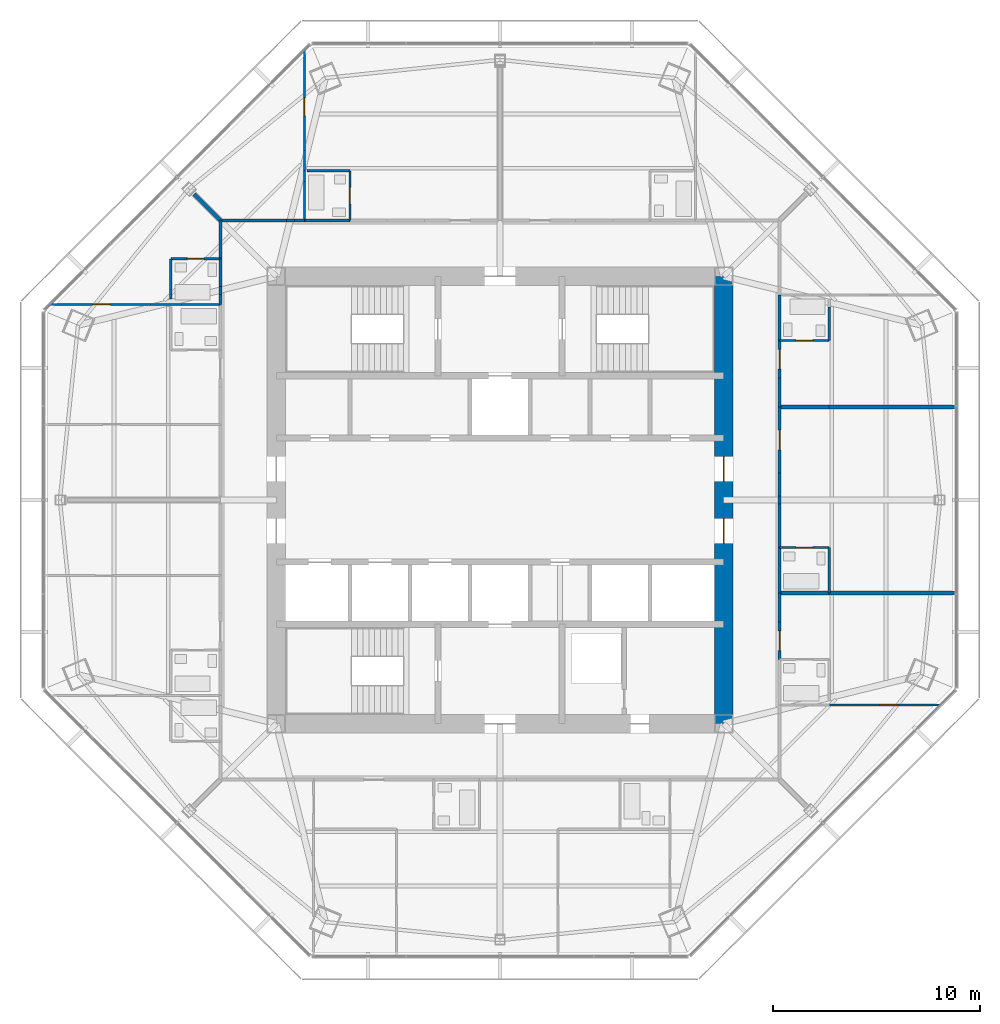
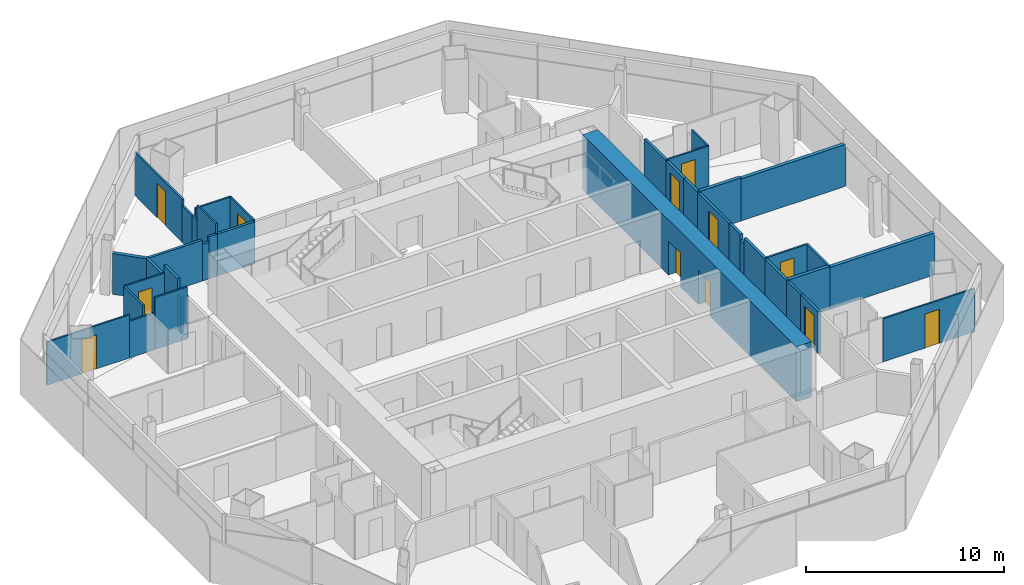
# One storey, part 11 of 15: 40 walls, 12 doors, 12 openings.
"""IFC4 building model written with IfcOpenShell, lengths in metres."""

from ifc_helpers import new_model, si_unit, direction, frame, frame_2d, origin, place, context, subcontext, project, spatial, rectangle, extrude, material, layer, layer_set, type_object, element, fill, save


model = new_model("IFC4")

# Units and contexts
model_context = context("Model", 3, precision=1e-05, world=origin(), true_north=direction((0.0, 1.0)))
body_context = subcontext(model_context, "Body", "Model", "MODEL_VIEW")
ifc_project = project(units=[si_unit("LENGTHUNIT", "METRE"), si_unit("AREAUNIT", "SQUARE_METRE"), si_unit("VOLUMEUNIT", "CUBIC_METRE"), si_unit("PLANEANGLEUNIT", "RADIAN"), si_unit("MASSUNIT", "GRAM", prefix="KILO")], contexts=[model_context])

# Site, building, storey
site_placement = place(None, origin())
site = spatial("IfcSite", under=ifc_project, at=site_placement, CompositionType="ELEMENT")
building_placement = place(site_placement, origin())
building = spatial("IfcBuilding", under=site, at=building_placement, Name="Mashrafa Tower", CompositionType="ELEMENT")
storey_placement = place(building_placement, frame((0.0, 0.0, 210.800048828125)))
storey = spatial("IfcBuildingStorey", under=building, at=storey_placement, Name="L48", CompositionType="ELEMENT", Elevation=210.800048828125)

# Walls
ifc_material_1 = material(Name="Gypsum board on steel studs", Category="steel")
ifc_layer_1 = layer(ifc_material_1, 0.199951171875)
ifc_layer_set_1 = layer_set([ifc_layer_1], Name="Acoustic partition 200 1 hr")
wall_type_1 = type_object("IfcWallType", Name="Acoustic partition 200 1 hr", PredefinedType="PARTITIONING", material=ifc_layer_set_1)
wall_1_placement = place(storey_placement, frame((15.89990234375, -4.5, 0.0), z_axis=(0.0, 0.0, 1.0), x_axis=(-1.0, 0.0, 0.0)))
element("IfcWall", 1, at=wall_1_placement, inside=storey, type_object=wall_type_1, Name="Acoustic wall L48-067", PredefinedType="PARTITIONING", context=body_context, shape_type="SweptSolid", body=[
    extrude(rectangle(XDim=2.39990234375, YDim=0.199951171875, at=frame_2d((1.199951171875, 0.0))), origin(), (0.0, 0.0, 1.0), 2.6640625),
])
wall_2_placement = place(storey_placement, frame((22.033447265625, -4.5, 0.0), z_axis=(0.0, 0.0, 1.0), x_axis=(-1.0, 0.0, 0.0)))
element("IfcWall", 2, at=wall_2_placement, inside=storey, type_object=wall_type_1, Name="Acoustic wall L48-068", PredefinedType="PARTITIONING", context=body_context, shape_type="SweptSolid", body=[
    extrude(rectangle(XDim=6.133544921875, YDim=0.199951171875, at=frame_2d((3.06689453125, 0.0))), origin(), (0.0, 0.0, 1.0), 2.590576171875),
])
wall_3_placement = place(storey_placement, frame((15.90087890625, 4.5, 0.0), z_axis=(0.0, 0.0, 1.0), x_axis=(-1.0, 0.0, 0.0)))
element("IfcWall", 3, at=wall_3_placement, inside=storey, type_object=wall_type_1, Name="Acoustic wall L48-071", PredefinedType="PARTITIONING", context=body_context, shape_type="SweptSolid", body=[
    extrude(rectangle(XDim=2.40087890625, YDim=0.199951171875, at=frame_2d((1.200439453125, 0.0))), origin(), (0.0, 0.0, 1.0), 2.6640625),
])
wall_4_placement = place(storey_placement, frame((22.033447265625, 4.5, 0.0), z_axis=(0.0, 0.0, 1.0), x_axis=(-1.0, 0.0, 0.0)))
element("IfcWall", 4, at=wall_4_placement, inside=storey, type_object=wall_type_1, Name="Acoustic wall L48-072", PredefinedType="PARTITIONING", context=body_context, shape_type="SweptSolid", body=[
    extrude(rectangle(XDim=6.134521484375, YDim=0.199951171875, at=frame_2d((3.0673828125, 0.0))), origin(), (0.0, 0.0, 1.0), 2.590576171875),
])
wall_5_placement = place(storey_placement, frame((-14.768798828125, 14.768798828125, 0.0), z_axis=(0.0, 0.0, 1.0), x_axis=(0.707106781187, -0.707106781187, 0.0)))
element("IfcWall", 5, at=wall_5_placement, inside=storey, type_object=wall_type_1, Name="Acoustic wall L48-091", PredefinedType="PARTITIONING", context=body_context, shape_type="SweptSolid", body=[
    extrude(rectangle(XDim=1.79443359375, YDim=0.199951171875, at=frame_2d((0.897216796875, 0.0))), origin(), (0.0, 0.0, 1.0), 2.51171875),
])

# Wall, openings, doors
ifc_material_2 = material(Name="Concrete C50/60", Category="concrete")
ifc_layer_2 = layer(ifc_material_2, 0.89990234375)
ifc_layer_set_2 = layer_set([ifc_layer_2], Name="Core wall 900 C50/60")
wall_type_2 = type_object("IfcWallType", Name="Core wall 900 C50/60", PredefinedType="SOLIDWALL", material=ifc_layer_set_2)
wall_6_placement = place(storey_placement, frame((10.800048828125, -10.800048828125, 0.0), z_axis=(0.0, 0.0, 1.0), x_axis=(0.0, 1.0, 0.0)))
wall_6 = element("IfcWall", 6, at=wall_6_placement, inside=storey, type_object=wall_type_2, Name="Core wall CW-E L48", PredefinedType="SOLIDWALL", context=body_context, shape_type="SweptSolid", body=[
    extrude(rectangle(XDim=21.60009765625, YDim=0.89990234375, at=frame_2d((10.800048828125, 0.0))), origin(), (0.0, 0.0, 1.0), 3.39990234375),
])
opening_1_placement = place(wall_6_placement, frame((11.699951171875, 0.0, 0.0)))
opening_1 = element("IfcOpeningElement", 7, at=opening_1_placement, cuts=wall_6, Name="Opening 48.032", PredefinedType="OPENING", context=body_context, shape_type="SweptSolid", body=[
    extrude(rectangle(XDim=1.199951171875, YDim=2.10009765625, at=frame_2d((0.60009765625, 1.050048828125))), frame((0.0, 0.4599609375, 0.0), z_axis=(0.0, -1.0, 0.0), x_axis=(1.0, 0.0, 0.0)), (0.0, 0.0, 1.0), 0.919921875),
])
opening_2_placement = place(wall_6_placement, frame((8.699951171875, 0.0, 0.0)))
opening_2 = element("IfcOpeningElement", 8, at=opening_2_placement, cuts=wall_6, Name="Opening 48.034", PredefinedType="OPENING", context=body_context, shape_type="SweptSolid", body=[
    extrude(rectangle(XDim=1.199951171875, YDim=2.10009765625, at=frame_2d((0.60009765625, 1.050048828125))), frame((0.0, 0.4599609375, 0.0), z_axis=(0.0, -1.0, 0.0), x_axis=(1.0, 0.0, 0.0)), (0.0, 0.0, 1.0), 0.919921875),
])
ifc_material_3 = material(Name="Steel door", Category="steel")
door_type_1 = type_object("IfcDoorType", Name="Lift hall door 1200 x 2100 90 min", OperationType="USERDEFINED", PredefinedType="DOOR", material=ifc_material_3)
door_1_placement = place(opening_1_placement, frame((1.199951171875, 0.0, 0.0), z_axis=(0.0, 0.0, 1.0), x_axis=(-1.0, 0.0, 0.0)))
door_1 = element("IfcDoor", 9, at=door_1_placement, inside=storey, type_object=door_type_1, Name="Lift hall door east L48", OperationType="SINGLE_SWING_LEFT", OverallHeight=2.10009765625, OverallWidth=1.199951171875, PredefinedType="DOOR", context=body_context, shape_type="SweptSolid", body=[
    extrude(rectangle(XDim=1.199951171875, YDim=2.10009765625, at=frame_2d((0.60009765625, 1.050048828125))), frame((0.0, 0.02490234375, 0.0), z_axis=(0.0, -1.0, 0.0), x_axis=(1.0, 0.0, 0.0)), (0.0, 0.0, 1.0), 0.050048828125),
])
fill(opening_1, door_1)
door_2_placement = place(opening_2_placement, frame((1.199951171875, 0.0, 0.0), z_axis=(0.0, 0.0, 1.0), x_axis=(-1.0, 0.0, 0.0)))
door_2 = element("IfcDoor", 10, at=door_2_placement, inside=storey, type_object=door_type_1, Name="Lift hall door east L48", OperationType="SINGLE_SWING_RIGHT", OverallHeight=2.10009765625, OverallWidth=1.199951171875, PredefinedType="DOOR", context=body_context, shape_type="SweptSolid", body=[
    extrude(rectangle(XDim=1.199951171875, YDim=2.10009765625, at=frame_2d((0.60009765625, 1.050048828125))), frame((0.0, 0.02490234375, 0.0), z_axis=(0.0, -1.0, 0.0), x_axis=(1.0, 0.0, 0.0)), (0.0, 0.0, 1.0), 0.050048828125),
])
fill(opening_2, door_2)

# Wall
ifc_material_4 = material(Name="Gypsum board on steel studs", Category="steel")
ifc_layer_3 = layer(ifc_material_4, 0.14990234375)
ifc_layer_set_3 = layer_set([ifc_layer_3], Name="Corridor partition 150 1 hr")
wall_type_3 = type_object("IfcWallType", Name="Corridor partition 150 1 hr", PredefinedType="PARTITIONING", material=ifc_layer_set_3)
wall_7_placement = place(storey_placement, frame((13.5, -5.90087890625, 0.0), z_axis=(0.0, 0.0, 1.0), x_axis=(0.0, 1.0, 0.0)))
element("IfcWall", 11, at=wall_7_placement, inside=storey, type_object=wall_type_3, Name="Corridor wall L48-004", PredefinedType="PARTITIONING", context=body_context, shape_type="SweptSolid", body=[
    extrude(rectangle(XDim=1.40185546875, YDim=0.14990234375, at=frame_2d((0.700927734375, 0.0))), origin(), (0.0, 0.0, 1.0), 2.590576171875),
])

# Wall, opening, door
wall_8_placement = place(storey_placement, frame((13.5, -7.700927734375, 0.0), z_axis=(0.0, 0.0, 1.0), x_axis=(0.0, 1.0, 0.0)))
wall_8 = element("IfcWall", 12, at=wall_8_placement, inside=storey, type_object=wall_type_3, Name="Corridor wall L48-005", PredefinedType="PARTITIONING", context=body_context, shape_type="SweptSolid", body=[
    extrude(rectangle(XDim=1.802001953125, YDim=0.14990234375, at=frame_2d((0.90087890625, 0.0))), origin(), (0.0, 0.0, 1.0), 2.590576171875),
])
opening_3_placement = place(wall_8_placement, frame((0.426025390625, 0.0, 0.0)))
opening_3 = element("IfcOpeningElement", 13, at=opening_3_placement, cuts=wall_8, Name="Opening 48.003", PredefinedType="OPENING", context=body_context, shape_type="SweptSolid", body=[
    extrude(rectangle(XDim=0.949951171875, YDim=2.10009765625, at=frame_2d((0.47509765625, 1.050048828125))), frame((0.0, 0.0849609375, 0.0), z_axis=(0.0, -1.0, 0.0), x_axis=(1.0, 0.0, 0.0)), (0.0, 0.0, 1.0), 0.169921875),
])
ifc_material_5 = material(Name="Steel door", Category="steel")
door_type_2 = type_object("IfcDoorType", Name="Residence entrance door 950 x 2100 20 min", OperationType="USERDEFINED", PredefinedType="DOOR", material=ifc_material_5)
door_3_placement = place(opening_3_placement, frame((0.949951171875, 0.0, 0.0), z_axis=(0.0, 0.0, 1.0), x_axis=(-1.0, 0.0, 0.0)))
door_3 = element("IfcDoor", 14, at=door_3_placement, inside=storey, type_object=door_type_2, Name="Apartment 4801 Living Room door", OperationType="SINGLE_SWING_LEFT", OverallHeight=2.10009765625, OverallWidth=0.949951171875, PredefinedType="DOOR", context=body_context, shape_type="SweptSolid", body=[
    extrude(rectangle(XDim=0.949951171875, YDim=2.10009765625, at=frame_2d((0.47509765625, 1.050048828125))), frame((0.0, 0.02490234375, 0.0), z_axis=(0.0, -1.0, 0.0), x_axis=(1.0, 0.0, 0.0)), (0.0, 0.0, 1.0), 0.050048828125),
])
fill(opening_3, door_3)

# Walls
wall_9_placement = place(storey_placement, frame((13.5, -4.5009765625, 0.0), z_axis=(0.0, 0.0, 1.0), x_axis=(0.0, 1.0, 0.0)))
element("IfcWall", 15, at=wall_9_placement, inside=storey, type_object=wall_type_3, Name="Corridor wall L48-006", PredefinedType="PARTITIONING", context=body_context, shape_type="SweptSolid", body=[
    extrude(rectangle(XDim=2.201904296875, YDim=0.14990234375, at=frame_2d((1.10107421875, 0.0))), origin(), (0.0, 0.0, 1.0), 2.590576171875),
])
wall_10_placement = place(storey_placement, frame((13.5, -0.18359375, 0.0), z_axis=(0.0, 0.0, 1.0), x_axis=(0.0, -1.0, 0.0)))
element("IfcWall", 16, at=wall_10_placement, inside=storey, type_object=wall_type_3, Name="Corridor wall L48-007", PredefinedType="PARTITIONING", context=body_context, shape_type="SweptSolid", body=[
    extrude(rectangle(XDim=2.117431640625, YDim=0.14990234375, at=frame_2d((1.05859375, 0.0))), origin(), (0.0, 0.0, 1.0), 2.590576171875),
])
wall_11_placement = place(storey_placement, frame((13.5, 0.18359375, 0.0), z_axis=(0.0, 0.0, 1.0), x_axis=(0.0, 1.0, 0.0)))
element("IfcWall", 17, at=wall_11_placement, inside=storey, type_object=wall_type_3, Name="Corridor wall L48-008", PredefinedType="PARTITIONING", context=body_context, shape_type="SweptSolid", body=[
    extrude(rectangle(XDim=1.117431640625, YDim=0.14990234375, at=frame_2d((0.55859375, 0.0))), origin(), (0.0, 0.0, 1.0), 2.590576171875),
])
wall_12_placement = place(storey_placement, frame((13.5, -0.18359375, 0.0), z_axis=(0.0, 0.0, 1.0), x_axis=(0.0, 1.0, 0.0)))
element("IfcWall", 18, at=wall_12_placement, inside=storey, type_object=wall_type_3, Name="Corridor wall L48-009", PredefinedType="PARTITIONING", context=body_context, shape_type="SweptSolid", body=[
    extrude(rectangle(XDim=0.3671875, YDim=0.14990234375, at=frame_2d((0.18359375, 0.0))), origin(), (0.0, 0.0, 1.0), 2.2529296875),
])

# Wall, opening, door
wall_13_placement = place(storey_placement, frame((13.5, 1.299072265625, 0.0), z_axis=(0.0, 0.0, 1.0), x_axis=(0.0, 1.0, 0.0)))
wall_13 = element("IfcWall", 19, at=wall_13_placement, inside=storey, type_object=wall_type_3, Name="Corridor wall L48-011", PredefinedType="PARTITIONING", context=body_context, shape_type="SweptSolid", body=[
    extrude(rectangle(XDim=3.201904296875, YDim=0.14990234375, at=frame_2d((1.60107421875, 0.0))), origin(), (0.0, 0.0, 1.0), 2.590576171875),
])
opening_4_placement = place(wall_13_placement, frame((1.1259765625, 0.0, 0.0)))
opening_4 = element("IfcOpeningElement", 20, at=opening_4_placement, cuts=wall_13, Name="Opening 48.005", PredefinedType="OPENING", context=body_context, shape_type="SweptSolid", body=[
    extrude(rectangle(XDim=0.949951171875, YDim=2.10009765625, at=frame_2d((0.47509765625, 1.050048828125))), frame((0.0, 0.0849609375, 0.0), z_axis=(0.0, -1.0, 0.0), x_axis=(1.0, 0.0, 0.0)), (0.0, 0.0, 1.0), 0.169921875),
])
door_4_placement = place(opening_4_placement, frame((0.949951171875, 0.0, 0.0), z_axis=(0.0, 0.0, 1.0), x_axis=(-1.0, 0.0, 0.0)))
door_4 = element("IfcDoor", 21, at=door_4_placement, inside=storey, type_object=door_type_2, Name="Apartment 4802 Studio Living Room door", OperationType="SINGLE_SWING_LEFT", OverallHeight=2.10009765625, OverallWidth=0.949951171875, PredefinedType="DOOR", context=body_context, shape_type="SweptSolid", body=[
    extrude(rectangle(XDim=0.949951171875, YDim=2.10009765625, at=frame_2d((0.47509765625, 1.050048828125))), frame((0.0, 0.02490234375, 0.0), z_axis=(0.0, -1.0, 0.0), x_axis=(1.0, 0.0, 0.0)), (0.0, 0.0, 1.0), 0.050048828125),
])
fill(opening_4, door_4)

# Walls
wall_14_placement = place(storey_placement, frame((13.5, 7.698974609375, 0.0), z_axis=(0.0, 0.0, 1.0), x_axis=(0.0, 1.0, 0.0)))
element("IfcWall", 22, at=wall_14_placement, inside=storey, type_object=wall_type_3, Name="Corridor wall L48-014", PredefinedType="PARTITIONING", context=body_context, shape_type="SweptSolid", body=[
    extrude(rectangle(XDim=2.201904296875, YDim=0.14990234375, at=frame_2d((1.10107421875, 0.0))), origin(), (0.0, 0.0, 1.0), 2.590576171875),
])
wall_15_placement = place(storey_placement, frame((13.5, 4.4990234375, 0.0), z_axis=(0.0, 0.0, 1.0), x_axis=(0.0, 1.0, 0.0)))
element("IfcWall", 23, at=wall_15_placement, inside=storey, type_object=wall_type_3, Name="Corridor wall L48-015", PredefinedType="PARTITIONING", context=body_context, shape_type="SweptSolid", body=[
    extrude(rectangle(XDim=1.40185546875, YDim=0.14990234375, at=frame_2d((0.700927734375, 0.0))), origin(), (0.0, 0.0, 1.0), 2.590576171875),
])

# Wall, opening, door
wall_16_placement = place(storey_placement, frame((13.5, 5.89892578125, 0.0), z_axis=(0.0, 0.0, 1.0), x_axis=(0.0, 1.0, 0.0)))
wall_16 = element("IfcWall", 24, at=wall_16_placement, inside=storey, type_object=wall_type_3, Name="Corridor wall L48-016", PredefinedType="PARTITIONING", context=body_context, shape_type="SweptSolid", body=[
    extrude(rectangle(XDim=1.802001953125, YDim=0.14990234375, at=frame_2d((0.90087890625, 0.0))), origin(), (0.0, 0.0, 1.0), 2.590576171875),
])
opening_5_placement = place(wall_16_placement, frame((0.426025390625, 0.0, 0.0)))
opening_5 = element("IfcOpeningElement", 25, at=opening_5_placement, cuts=wall_16, Name="Opening 48.008", PredefinedType="OPENING", context=body_context, shape_type="SweptSolid", body=[
    extrude(rectangle(XDim=0.949951171875, YDim=2.10009765625, at=frame_2d((0.47509765625, 1.050048828125))), frame((0.0, 0.0849609375, 0.0), z_axis=(0.0, -1.0, 0.0), x_axis=(1.0, 0.0, 0.0)), (0.0, 0.0, 1.0), 0.169921875),
])
door_5_placement = place(opening_5_placement, frame((0.949951171875, 0.0, 0.0), z_axis=(0.0, 0.0, 1.0), x_axis=(-1.0, 0.0, 0.0)))
door_5 = element("IfcDoor", 26, at=door_5_placement, inside=storey, type_object=door_type_2, Name="Apartment 4803 Living Room door", OperationType="SINGLE_SWING_RIGHT", OverallHeight=2.10009765625, OverallWidth=0.949951171875, PredefinedType="DOOR", context=body_context, shape_type="SweptSolid", body=[
    extrude(rectangle(XDim=0.949951171875, YDim=2.10009765625, at=frame_2d((0.47509765625, 1.050048828125))), frame((0.0, 0.02490234375, 0.0), z_axis=(0.0, -1.0, 0.0), x_axis=(1.0, 0.0, 0.0)), (0.0, 0.0, 1.0), 0.050048828125),
])
fill(opening_5, door_5)

# Walls
wall_17_placement = place(storey_placement, frame((-9.448974609375, 13.5, 0.0), z_axis=(0.0, 0.0, 1.0), x_axis=(-1.0, 0.0, 0.0)))
element("IfcWall", 27, at=wall_17_placement, inside=storey, type_object=wall_type_3, Name="Corridor wall L48-024", PredefinedType="PARTITIONING", context=body_context, shape_type="SweptSolid", body=[
    extrude(rectangle(XDim=0.47998046875, YDim=0.14990234375, at=frame_2d((0.239990234375, 0.0))), origin(), (0.0, 0.0, 1.0), 2.590576171875),
])
wall_18_placement = place(storey_placement, frame((-10.30517578125, 13.5, 0.0), z_axis=(0.0, 0.0, 1.0), x_axis=(-1.0, 0.0, 0.0)))
element("IfcWall", 28, at=wall_18_placement, inside=storey, type_object=wall_type_3, Name="Corridor wall L48-025", PredefinedType="PARTITIONING", context=body_context, shape_type="SweptSolid", body=[
    extrude(rectangle(XDim=3.19482421875, YDim=0.14990234375, at=frame_2d((1.597412109375, 0.0))), origin(), (0.0, 0.0, 1.0), 2.51171875),
])
wall_19_placement = place(storey_placement, frame((-9.928955078125, 13.5, 0.0), z_axis=(0.0, 0.0, 1.0), x_axis=(-1.0, 0.0, 0.0)))
element("IfcWall", 29, at=wall_19_placement, inside=storey, type_object=wall_type_3, Name="Corridor wall L48-026", PredefinedType="PARTITIONING", context=body_context, shape_type="SweptSolid", body=[
    extrude(rectangle(XDim=0.376220703125, YDim=0.14990234375, at=frame_2d((0.18798828125, 0.0))), origin(), (0.0, 0.0, 1.0), 2.26806640625),
])
wall_20_placement = place(storey_placement, frame((-7.2490234375, 13.5, 0.0), z_axis=(0.0, 0.0, 1.0), x_axis=(-1.0, 0.0, 0.0)))
element("IfcWall", 30, at=wall_20_placement, inside=storey, type_object=wall_type_3, Name="Corridor wall L48-027", PredefinedType="PARTITIONING", context=body_context, shape_type="SweptSolid", body=[
    extrude(rectangle(XDim=2.201904296875, YDim=0.14990234375, at=frame_2d((1.10107421875, 0.0))), origin(), (0.0, 0.0, 1.0), 2.590576171875),
])
wall_21_placement = place(storey_placement, frame((-13.5, 11.65087890625, 0.0), z_axis=(0.0, 0.0, 1.0), x_axis=(0.0, -1.0, 0.0)))
element("IfcWall", 31, at=wall_21_placement, inside=storey, type_object=wall_type_3, Name="Corridor wall L48-031", PredefinedType="PARTITIONING", context=body_context, shape_type="SweptSolid", body=[
    extrude(rectangle(XDim=1.345703125, YDim=0.14990234375, at=frame_2d((0.6728515625, 0.0))), origin(), (0.0, 0.0, 1.0), 3.199951171875),
])
wall_22_placement = place(storey_placement, frame((-13.5, 9.928955078125, 0.0), z_axis=(0.0, 0.0, 1.0), x_axis=(0.0, -1.0, 0.0)))
element("IfcWall", 32, at=wall_22_placement, inside=storey, type_object=wall_type_3, Name="Corridor wall L48-032", PredefinedType="PARTITIONING", context=body_context, shape_type="SweptSolid", body=[
    extrude(rectangle(XDim=0.47998046875, YDim=0.14990234375, at=frame_2d((0.239990234375, 0.0))), origin(), (0.0, 0.0, 1.0), 2.590576171875),
])
wall_23_placement = place(storey_placement, frame((-13.5, 10.30517578125, 0.0), z_axis=(0.0, 0.0, 1.0), x_axis=(0.0, -1.0, 0.0)))
element("IfcWall", 33, at=wall_23_placement, inside=storey, type_object=wall_type_3, Name="Corridor wall L48-033", PredefinedType="PARTITIONING", context=body_context, shape_type="SweptSolid", body=[
    extrude(rectangle(XDim=0.376220703125, YDim=0.14990234375, at=frame_2d((0.18798828125, 0.0))), origin(), (0.0, 0.0, 1.0), 2.26806640625),
])
wall_24_placement = place(storey_placement, frame((-13.5, 13.5, 0.0), z_axis=(0.0, 0.0, 1.0), x_axis=(0.0, -1.0, 0.0)))
element("IfcWall", 34, at=wall_24_placement, inside=storey, type_object=wall_type_3, Name="Corridor wall L48-034", PredefinedType="PARTITIONING", context=body_context, shape_type="SweptSolid", body=[
    extrude(rectangle(XDim=1.85107421875, YDim=0.14990234375, at=frame_2d((0.925537109375, 0.0))), origin(), (0.0, 0.0, 1.0), 2.51171875),
])

# Wall, opening, door
ifc_material_6 = material(Name="Gypsum board on steel studs", Category="steel")
ifc_layer_4 = layer(ifc_material_6, 0.10009765625)
ifc_layer_set_4 = layer_set([ifc_layer_4], Name="Partition 100")
wall_type_4 = type_object("IfcWallType", Name="Partition 100", PredefinedType="PARTITIONING", material=ifc_layer_set_4)
wall_25_placement = place(storey_placement, frame((21.263671875, -9.89990234375, 0.0), z_axis=(0.0, 0.0, 1.0), x_axis=(-1.0, 0.0, 0.0)))
wall_25 = element("IfcWall", 35, at=wall_25_placement, inside=storey, type_object=wall_type_4, Name="Partition wall L48-062", PredefinedType="PARTITIONING", context=body_context, shape_type="SweptSolid", body=[
    extrude(rectangle(XDim=5.36474609375, YDim=0.10009765625, at=frame_2d((2.682373046875, 0.0))), origin(), (0.0, 0.0, 1.0), 2.6640625),
])
opening_6_placement = place(wall_25_placement, frame((2.060546875, 0.0, 0.0)))
opening_6 = element("IfcOpeningElement", 36, at=opening_6_placement, cuts=wall_25, Name="Opening 48.001", PredefinedType="OPENING", context=body_context, shape_type="SweptSolid", body=[
    extrude(rectangle(XDim=0.85009765625, YDim=2.10009765625, at=frame_2d((0.425048828125, 1.050048828125))), frame((0.0, 0.06005859375, 0.0), z_axis=(0.0, -1.0, 0.0), x_axis=(1.0, 0.0, 0.0)), (0.0, 0.0, 1.0), 0.1201171875),
])
ifc_material_7 = material(Name="Timber door", Category="wood")
door_type_3 = type_object("IfcDoorType", Name="Bedroom door 850 x 2100", OperationType="USERDEFINED", PredefinedType="DOOR", material=ifc_material_7)
door_6_placement = place(opening_6_placement, origin())
door_6 = element("IfcDoor", 37, at=door_6_placement, inside=storey, type_object=door_type_3, Name="Apartment 4801 Bedroom 1 door", OperationType="SINGLE_SWING_LEFT", OverallHeight=2.10009765625, OverallWidth=0.85009765625, PredefinedType="DOOR", context=body_context, shape_type="SweptSolid", body=[
    extrude(rectangle(XDim=0.85009765625, YDim=2.10009765625, at=frame_2d((0.425048828125, 1.050048828125))), frame((0.0, 0.02490234375, 0.0), z_axis=(0.0, -1.0, 0.0), x_axis=(1.0, 0.0, 0.0)), (0.0, 0.0, 1.0), 0.050048828125),
])
fill(opening_6, door_6)

# Wall
wall_26_placement = place(storey_placement, frame((15.89990234375, -4.5, 0.0), z_axis=(0.0, 0.0, 1.0), x_axis=(0.0, 1.0, 0.0)))
element("IfcWall", 38, at=wall_26_placement, inside=storey, type_object=wall_type_4, Name="Partition wall L48-069", PredefinedType="PARTITIONING", context=body_context, shape_type="SweptSolid", body=[
    extrude(rectangle(XDim=2.199951171875, YDim=0.10009765625, at=frame_2d((1.10009765625, 0.0))), origin(), (0.0, 0.0, 1.0), 2.6640625),
])

# Wall, opening, door
wall_27_placement = place(storey_placement, frame((15.89990234375, -2.300048828125, 0.0), z_axis=(0.0, 0.0, 1.0), x_axis=(-1.0, 0.0, 0.0)))
wall_27 = element("IfcWall", 39, at=wall_27_placement, inside=storey, type_object=wall_type_4, Name="Partition wall L48-070", PredefinedType="PARTITIONING", context=body_context, shape_type="SweptSolid", body=[
    extrude(rectangle(XDim=2.39990234375, YDim=0.10009765625, at=frame_2d((1.199951171875, 0.0))), origin(), (0.0, 0.0, 1.0), 2.6640625),
])
opening_7_placement = place(wall_27_placement, frame((0.800048828125, 0.0, 0.0)))
opening_7 = element("IfcOpeningElement", 40, at=opening_7_placement, cuts=wall_27, Name="Opening 48.004", PredefinedType="OPENING", context=body_context, shape_type="SweptSolid", body=[
    extrude(rectangle(XDim=0.800048828125, YDim=2.10009765625, at=frame_2d((0.39990234375, 1.050048828125))), frame((0.0, 0.06005859375, 0.0), z_axis=(0.0, -1.0, 0.0), x_axis=(1.0, 0.0, 0.0)), (0.0, 0.0, 1.0), 0.1201171875),
])
ifc_material_8 = material(Name="Timber door", Category="wood")
door_type_4 = type_object("IfcDoorType", Name="Bathroom door 800 x 2100", OperationType="USERDEFINED", PredefinedType="DOOR", material=ifc_material_8)
door_7_placement = place(opening_7_placement, origin())
door_7 = element("IfcDoor", 41, at=door_7_placement, inside=storey, type_object=door_type_4, Name="Apartment 4802 Bathroom door", OperationType="SINGLE_SWING_LEFT", OverallHeight=2.10009765625, OverallWidth=0.800048828125, PredefinedType="DOOR", context=body_context, shape_type="SweptSolid", body=[
    extrude(rectangle(XDim=0.800048828125, YDim=2.10009765625, at=frame_2d((0.39990234375, 1.050048828125))), frame((0.0, 0.02490234375, 0.0), z_axis=(0.0, -1.0, 0.0), x_axis=(1.0, 0.0, 0.0)), (0.0, 0.0, 1.0), 0.050048828125),
])
fill(opening_7, door_7)

wall_28_placement = place(storey_placement, frame((13.5, 7.699951171875, 0.0), z_axis=(0.0, 0.0, 1.0), x_axis=(1.0, 0.0, 0.0)))
wall_28 = element("IfcWall", 42, at=wall_28_placement, inside=storey, type_object=wall_type_4, Name="Partition wall L48-077", PredefinedType="PARTITIONING", context=body_context, shape_type="SweptSolid", body=[
    extrude(rectangle(XDim=2.39990234375, YDim=0.10009765625, at=frame_2d((1.199951171875, 0.0))), origin(), (0.0, 0.0, 1.0), 2.6640625),
])
opening_8_placement = place(wall_28_placement, frame((0.800048828125, 0.0, 0.0)))
opening_8 = element("IfcOpeningElement", 43, at=opening_8_placement, cuts=wall_28, Name="Opening 48.007", PredefinedType="OPENING", context=body_context, shape_type="SweptSolid", body=[
    extrude(rectangle(XDim=0.800048828125, YDim=2.10009765625, at=frame_2d((0.39990234375, 1.050048828125))), frame((0.0, 0.06005859375, 0.0), z_axis=(0.0, -1.0, 0.0), x_axis=(1.0, 0.0, 0.0)), (0.0, 0.0, 1.0), 0.1201171875),
])
door_8_placement = place(opening_8_placement, origin())
door_8 = element("IfcDoor", 44, at=door_8_placement, inside=storey, type_object=door_type_4, Name="Apartment 4803 Bathroom door", OperationType="SINGLE_SWING_RIGHT", OverallHeight=2.10009765625, OverallWidth=0.800048828125, PredefinedType="DOOR", context=body_context, shape_type="SweptSolid", body=[
    extrude(rectangle(XDim=0.800048828125, YDim=2.10009765625, at=frame_2d((0.39990234375, 1.050048828125))), frame((0.0, 0.02490234375, 0.0), z_axis=(0.0, -1.0, 0.0), x_axis=(1.0, 0.0, 0.0)), (0.0, 0.0, 1.0), 0.050048828125),
])
fill(opening_8, door_8)

# Walls
wall_29_placement = place(storey_placement, frame((15.89990234375, 7.699951171875, 0.0), z_axis=(0.0, 0.0, 1.0), x_axis=(0.0, 1.0, 0.0)))
element("IfcWall", 45, at=wall_29_placement, inside=storey, type_object=wall_type_4, Name="Partition wall L48-078", PredefinedType="PARTITIONING", context=body_context, shape_type="SweptSolid", body=[
    extrude(rectangle(XDim=1.6220703125, YDim=0.10009765625, at=frame_2d((0.81103515625, 0.0))), origin(), (0.0, 0.0, 1.0), 2.6640625),
])
wall_30_placement = place(storey_placement, frame((-9.449951171875, 13.5, 0.0), z_axis=(0.0, 0.0, 1.0), x_axis=(0.0, 1.0, 0.0)))
element("IfcWall", 46, at=wall_30_placement, inside=storey, type_object=wall_type_4, Name="Partition wall L48-087", PredefinedType="PARTITIONING", context=body_context, shape_type="SweptSolid", body=[
    extrude(rectangle(XDim=1.893310546875, YDim=0.10009765625, at=frame_2d((0.94677734375, 0.0))), origin(), (0.0, 0.0, 1.0), 3.199951171875),
])
wall_31_placement = place(storey_placement, frame((-9.449951171875, 15.393310546875, 0.0), z_axis=(0.0, 0.0, 1.0), x_axis=(0.0, 1.0, 0.0)))
element("IfcWall", 47, at=wall_31_placement, inside=storey, type_object=wall_type_4, Name="Partition wall L48-088", PredefinedType="PARTITIONING", context=body_context, shape_type="SweptSolid", body=[
    extrude(rectangle(XDim=0.507568359375, YDim=0.10009765625, at=frame_2d((0.25390625, 0.0))), origin(), (0.0, 0.0, 1.0), 2.26806640625),
])

# Wall, opening, door
wall_32_placement = place(storey_placement, frame((-9.449951171875, 16.881103515625, 0.0), z_axis=(0.0, 0.0, 1.0), x_axis=(0.0, 1.0, 0.0)))
wall_32 = element("IfcWall", 48, at=wall_32_placement, inside=storey, type_object=wall_type_4, Name="Partition wall L48-089", PredefinedType="PARTITIONING", context=body_context, shape_type="SweptSolid", body=[
    extrude(rectangle(XDim=4.83251953125, YDim=0.10009765625, at=frame_2d((2.416259765625, 0.0))), origin(), (0.0, 0.0, 1.0), 2.6640625),
])
opening_9_placement = place(wall_32_placement, frame((1.68408203125, 0.0, 0.0)))
opening_9 = element("IfcOpeningElement", 49, at=opening_9_placement, cuts=wall_32, Name="Opening 48.012", PredefinedType="OPENING", context=body_context, shape_type="SweptSolid", body=[
    extrude(rectangle(XDim=0.85009765625, YDim=2.10009765625, at=frame_2d((0.425048828125, 1.050048828125))), frame((0.0, 0.06005859375, 0.0), z_axis=(0.0, -1.0, 0.0), x_axis=(1.0, 0.0, 0.0)), (0.0, 0.0, 1.0), 0.1201171875),
])
door_9_placement = place(opening_9_placement, origin())
door_9 = element("IfcDoor", 50, at=door_9_placement, inside=storey, type_object=door_type_3, Name="Apartment 4805 Bedroom 1 door", OperationType="SINGLE_SWING_RIGHT", OverallHeight=2.10009765625, OverallWidth=0.85009765625, PredefinedType="DOOR", context=body_context, shape_type="SweptSolid", body=[
    extrude(rectangle(XDim=0.85009765625, YDim=2.10009765625, at=frame_2d((0.425048828125, 1.050048828125))), frame((0.0, 0.02490234375, 0.0), z_axis=(0.0, -1.0, 0.0), x_axis=(1.0, 0.0, 0.0)), (0.0, 0.0, 1.0), 0.050048828125),
])
fill(opening_9, door_9)

# Wall
wall_33_placement = place(storey_placement, frame((-9.449951171875, 15.89892578125, 0.0), z_axis=(0.0, 0.0, 1.0), x_axis=(0.0, 1.0, 0.0)))
element("IfcWall", 51, at=wall_33_placement, inside=storey, type_object=wall_type_4, Name="Partition wall L48-090", PredefinedType="PARTITIONING", context=body_context, shape_type="SweptSolid", body=[
    extrude(rectangle(XDim=0.982177734375, YDim=0.10009765625, at=frame_2d((0.4912109375, 0.0))), origin(), (0.0, 0.0, 1.0), 2.26806640625),
])

# Wall, opening, door
wall_34_placement = place(storey_placement, frame((-7.25, 13.5, 0.0), z_axis=(0.0, 0.0, 1.0), x_axis=(0.0, 1.0, 0.0)))
wall_34 = element("IfcWall", 52, at=wall_34_placement, inside=storey, type_object=wall_type_4, Name="Partition wall L48-092", PredefinedType="PARTITIONING", context=body_context, shape_type="SweptSolid", body=[
    extrude(rectangle(XDim=2.39990234375, YDim=0.10009765625, at=frame_2d((1.199951171875, 0.0))), origin(), (0.0, 0.0, 1.0), 2.6640625),
])
opening_10_placement = place(wall_34_placement, frame((0.800048828125, 0.0, 0.0)))
opening_10 = element("IfcOpeningElement", 53, at=opening_10_placement, cuts=wall_34, Name="Opening 48.013", PredefinedType="OPENING", context=body_context, shape_type="SweptSolid", body=[
    extrude(rectangle(XDim=0.800048828125, YDim=2.10009765625, at=frame_2d((0.39990234375, 1.050048828125))), frame((0.0, 0.06005859375, 0.0), z_axis=(0.0, -1.0, 0.0), x_axis=(1.0, 0.0, 0.0)), (0.0, 0.0, 1.0), 0.1201171875),
])
door_10_placement = place(opening_10_placement, origin())
door_10 = element("IfcDoor", 54, at=door_10_placement, inside=storey, type_object=door_type_4, Name="Apartment 4805 Bathroom door", OperationType="SINGLE_SWING_RIGHT", OverallHeight=2.10009765625, OverallWidth=0.800048828125, PredefinedType="DOOR", context=body_context, shape_type="SweptSolid", body=[
    extrude(rectangle(XDim=0.800048828125, YDim=2.10009765625, at=frame_2d((0.39990234375, 1.050048828125))), frame((0.0, 0.02490234375, 0.0), z_axis=(0.0, -1.0, 0.0), x_axis=(1.0, 0.0, 0.0)), (0.0, 0.0, 1.0), 0.050048828125),
])
fill(opening_10, door_10)

# Wall
wall_35_placement = place(storey_placement, frame((-7.25, 15.89990234375, 0.0), z_axis=(0.0, 0.0, 1.0), x_axis=(-1.0, 0.0, 0.0)))
element("IfcWall", 55, at=wall_35_placement, inside=storey, type_object=wall_type_4, Name="Partition wall L48-093", PredefinedType="PARTITIONING", context=body_context, shape_type="SweptSolid", body=[
    extrude(rectangle(XDim=2.072021484375, YDim=0.10009765625, at=frame_2d((1.0361328125, 0.0))), origin(), (0.0, 0.0, 1.0), 2.6640625),
])

# Wall, opening, door
wall_36_placement = place(storey_placement, frame((-13.5, 11.64990234375, 0.0), z_axis=(0.0, 0.0, 1.0), x_axis=(-1.0, 0.0, 0.0)))
wall_36 = element("IfcWall", 56, at=wall_36_placement, inside=storey, type_object=wall_type_4, Name="Partition wall L48-094", PredefinedType="PARTITIONING", context=body_context, shape_type="SweptSolid", body=[
    extrude(rectangle(XDim=2.39990234375, YDim=0.10009765625, at=frame_2d((1.199951171875, 0.0))), origin(), (0.0, 0.0, 1.0), 2.740234375),
])
opening_11_placement = place(wall_36_placement, frame((0.800048828125, 0.0, 0.0)))
opening_11 = element("IfcOpeningElement", 57, at=opening_11_placement, cuts=wall_36, Name="Opening 48.015", PredefinedType="OPENING", context=body_context, shape_type="SweptSolid", body=[
    extrude(rectangle(XDim=0.800048828125, YDim=2.10009765625, at=frame_2d((0.39990234375, 1.050048828125))), frame((0.0, 0.06005859375, 0.0), z_axis=(0.0, -1.0, 0.0), x_axis=(1.0, 0.0, 0.0)), (0.0, 0.0, 1.0), 0.1201171875),
])
door_11_placement = place(opening_11_placement, origin())
door_11 = element("IfcDoor", 58, at=door_11_placement, inside=storey, type_object=door_type_4, Name="Apartment 4806 En-suite Bathroom door", OperationType="SINGLE_SWING_RIGHT", OverallHeight=2.10009765625, OverallWidth=0.800048828125, PredefinedType="DOOR", context=body_context, shape_type="SweptSolid", body=[
    extrude(rectangle(XDim=0.800048828125, YDim=2.10009765625, at=frame_2d((0.39990234375, 1.050048828125))), frame((0.0, 0.02490234375, 0.0), z_axis=(0.0, -1.0, 0.0), x_axis=(1.0, 0.0, 0.0)), (0.0, 0.0, 1.0), 0.050048828125),
])
fill(opening_11, door_11)

# Walls
wall_37_placement = place(storey_placement, frame((-15.89990234375, 11.64990234375, 0.0), z_axis=(0.0, 0.0, 1.0), x_axis=(0.0, -1.0, 0.0)))
element("IfcWall", 59, at=wall_37_placement, inside=storey, type_object=wall_type_4, Name="Partition wall L48-095", PredefinedType="PARTITIONING", context=body_context, shape_type="SweptSolid", body=[
    extrude(rectangle(XDim=1.951904296875, YDim=0.10009765625, at=frame_2d((0.97607421875, 0.0))), origin(), (0.0, 0.0, 1.0), 2.740234375),
])
wall_38_placement = place(storey_placement, frame((-15.393310546875, 9.449951171875, 0.0), z_axis=(0.0, 0.0, 1.0), x_axis=(1.0, 0.0, 0.0)))
element("IfcWall", 60, at=wall_38_placement, inside=storey, type_object=wall_type_4, Name="Partition wall L48-096", PredefinedType="PARTITIONING", context=body_context, shape_type="SweptSolid", body=[
    extrude(rectangle(XDim=1.893310546875, YDim=0.10009765625, at=frame_2d((0.94677734375, 0.0))), origin(), (0.0, 0.0, 1.0), 3.199951171875),
])
wall_39_placement = place(storey_placement, frame((-15.393310546875, 9.449951171875, 0.0), z_axis=(0.0, 0.0, 1.0), x_axis=(-1.0, 0.0, 0.0)))
element("IfcWall", 61, at=wall_39_placement, inside=storey, type_object=wall_type_4, Name="Partition wall L48-097", PredefinedType="PARTITIONING", context=body_context, shape_type="SweptSolid", body=[
    extrude(rectangle(XDim=1.48779296875, YDim=0.10009765625, at=frame_2d((0.743896484375, 0.0))), origin(), (0.0, 0.0, 1.0), 2.26806640625),
])

# Wall, opening, door
wall_40_placement = place(storey_placement, frame((-21.713623046875, 9.449951171875, 0.0), z_axis=(0.0, 0.0, 1.0), x_axis=(1.0, 0.0, 0.0)))
wall_40 = element("IfcWall", 62, at=wall_40_placement, inside=storey, type_object=wall_type_4, Name="Partition wall L48-098", PredefinedType="PARTITIONING", context=body_context, shape_type="SweptSolid", body=[
    extrude(rectangle(XDim=4.83251953125, YDim=0.10009765625, at=frame_2d((2.416259765625, 0.0))), origin(), (0.0, 0.0, 1.0), 2.6640625),
])
opening_12_placement = place(wall_40_placement, frame((2.044921875, 0.0, 0.0)))
opening_12 = element("IfcOpeningElement", 63, at=opening_12_placement, cuts=wall_40, Name="Opening 48.016", PredefinedType="OPENING", context=body_context, shape_type="SweptSolid", body=[
    extrude(rectangle(XDim=0.85009765625, YDim=2.10009765625, at=frame_2d((0.425048828125, 1.050048828125))), frame((0.0, 0.06005859375, 0.0), z_axis=(0.0, -1.0, 0.0), x_axis=(1.0, 0.0, 0.0)), (0.0, 0.0, 1.0), 0.1201171875),
])
door_12_placement = place(opening_12_placement, origin())
door_12 = element("IfcDoor", 64, at=door_12_placement, inside=storey, type_object=door_type_3, Name="Apartment 4806 Bedroom 1 door", OperationType="SINGLE_SWING_LEFT", OverallHeight=2.10009765625, OverallWidth=0.85009765625, PredefinedType="DOOR", context=body_context, shape_type="SweptSolid", body=[
    extrude(rectangle(XDim=0.85009765625, YDim=2.10009765625, at=frame_2d((0.425048828125, 1.050048828125))), frame((0.0, 0.02490234375, 0.0), z_axis=(0.0, -1.0, 0.0), x_axis=(1.0, 0.0, 0.0)), (0.0, 0.0, 1.0), 0.050048828125),
])
fill(opening_12, door_12)

save(model, "model.ifc")
